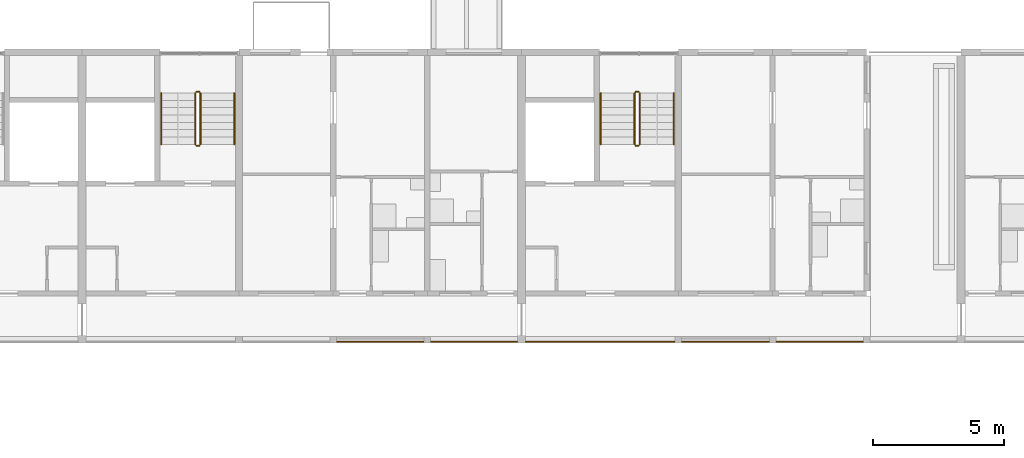
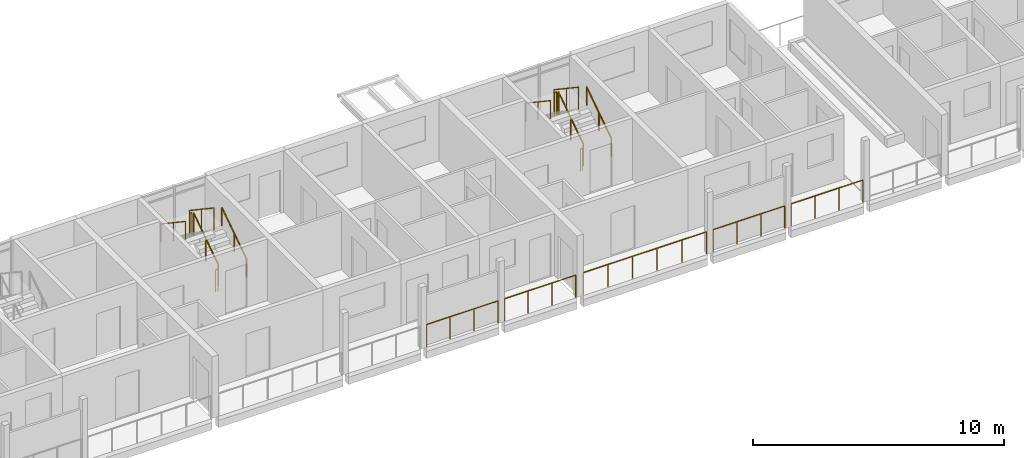
# One storey, part 75 of 93: 17 railings.
"""IFC4 building model written with IfcOpenShell, lengths in metres."""

from ifc_helpers import new_model, si_unit, direction, frame, origin, origin_2d, place, context, subcontext, project, spatial, circle, extrude, material, type_object, element, save


model = new_model("IFC4")

# Units and contexts
model_context = context("Model", 3, precision=1e-05, world=origin(), true_north=direction((0.0, 1.0)))
body_context = subcontext(model_context, "Body", "Model", "MODEL_VIEW")
ifc_project = project(units=[si_unit("LENGTHUNIT", "METRE"), si_unit("AREAUNIT", "SQUARE_METRE"), si_unit("VOLUMEUNIT", "CUBIC_METRE"), si_unit("PLANEANGLEUNIT", "RADIAN"), si_unit("MASSUNIT", "GRAM", prefix="KILO")], contexts=[model_context])

# Site, building, storey
site_placement = place(None, origin())
site = spatial("IfcSite", under=ifc_project, at=site_placement, CompositionType="ELEMENT")
building_placement = place(site_placement, origin())
building = spatial("IfcBuilding", under=site, at=building_placement, Name="Ridgestep Commons", CompositionType="ELEMENT")
storey_placement = place(building_placement, frame((0.0, 0.0, 18.0)))
storey = spatial("IfcBuildingStorey", under=building, at=storey_placement, Name="L06", CompositionType="ELEMENT", Elevation=18.0)

# Railings
ifc_material_1 = material(Name="Structural steel S355JR", Category="steel")
railing_type_1 = type_object("IfcRailingType", Name="Guard 1100", PredefinedType="GUARDRAIL", material=ifc_material_1)
railing_1_placement = place(storey_placement, frame((38.5458984375, 66.050048828125, 0.0)))
element("IfcRailing", 1, at=railing_1_placement, inside=storey, type_object=railing_type_1, Name="Gallery guard B 06.7", PredefinedType="GUARDRAIL", context=body_context, shape_type="SweptSolid", body=[
    extrude(circle(Radius=0.02392578125, at=origin_2d()), frame((0.0, 0.0, 1.076171875), z_axis=(1.0, 0.0, 0.0), x_axis=(0.0, 1.0, 0.0)), (0.0, 0.0, 1.0), 3.30810546875),
    extrude(circle(Radius=0.02099609375, at=origin_2d()), origin(), (0.0, 0.0, 1.0), 1.052001953125),
    extrude(circle(Radius=0.02099609375, at=origin_2d()), frame((1.102783203125, 0.0, 0.0)), (0.0, 0.0, 1.0), 1.052001953125),
    extrude(circle(Radius=0.02099609375, at=origin_2d()), frame((2.205322265625, 0.0, 0.0)), (0.0, 0.0, 1.0), 1.052001953125),
    extrude(circle(Radius=0.02099609375, at=origin_2d()), frame((3.30810546875, 0.0, 0.0)), (0.0, 0.0, 1.0), 1.052001953125),
])
railing_2_placement = place(storey_placement, frame((42.14599609375, 66.050048828125, 0.0)))
element("IfcRailing", 2, at=railing_2_placement, inside=storey, type_object=railing_type_1, Name="Gallery guard B 06.8", PredefinedType="GUARDRAIL", context=body_context, shape_type="SweptSolid", body=[
    extrude(circle(Radius=0.02392578125, at=origin_2d()), frame((0.0, 0.0, 1.076171875), z_axis=(1.0, 0.0, 0.0), x_axis=(0.0, 1.0, 0.0)), (0.0, 0.0, 1.0), 3.282958984375),
    extrude(circle(Radius=0.02099609375, at=origin_2d()), origin(), (0.0, 0.0, 1.0), 1.052001953125),
    extrude(circle(Radius=0.02099609375, at=origin_2d()), frame((1.09423828125, 0.0, 0.0)), (0.0, 0.0, 1.0), 1.052001953125),
    extrude(circle(Radius=0.02099609375, at=origin_2d()), frame((2.188720703125, 0.0, 0.0)), (0.0, 0.0, 1.0), 1.052001953125),
    extrude(circle(Radius=0.02099609375, at=origin_2d()), frame((3.282958984375, 0.0, 0.0)), (0.0, 0.0, 1.0), 1.052001953125),
])
railing_3_placement = place(storey_placement, frame((45.77099609375, 66.050048828125, 0.0)))
element("IfcRailing", 3, at=railing_3_placement, inside=storey, type_object=railing_type_1, Name="Gallery guard B 06.9", PredefinedType="GUARDRAIL", context=body_context, shape_type="SweptSolid", body=[
    extrude(circle(Radius=0.02392578125, at=origin_2d()), frame((0.0, 0.0, 1.076171875), z_axis=(1.0, 0.0, 0.0), x_axis=(0.0, 1.0, 0.0)), (0.0, 0.0, 1.0), 5.68310546875),
    extrude(circle(Radius=0.02099609375, at=origin_2d()), origin(), (0.0, 0.0, 1.0), 1.052001953125),
    extrude(circle(Radius=0.02099609375, at=origin_2d()), frame((1.13671875, 0.0, 0.0)), (0.0, 0.0, 1.0), 1.052001953125),
    extrude(circle(Radius=0.02099609375, at=origin_2d()), frame((2.273193359375, 0.0, 0.0)), (0.0, 0.0, 1.0), 1.052001953125),
    extrude(circle(Radius=0.02099609375, at=origin_2d()), frame((3.409912109375, 0.0, 0.0)), (0.0, 0.0, 1.0), 1.052001953125),
    extrude(circle(Radius=0.02099609375, at=origin_2d()), frame((4.54638671875, 0.0, 0.0)), (0.0, 0.0, 1.0), 1.052001953125),
    extrude(circle(Radius=0.02099609375, at=origin_2d()), frame((5.68310546875, 0.0, 0.0)), (0.0, 0.0, 1.0), 1.052001953125),
])
railing_4_placement = place(storey_placement, frame((51.74609375, 66.050048828125, 0.0)))
element("IfcRailing", 4, at=railing_4_placement, inside=storey, type_object=railing_type_1, Name="Gallery guard B 06.10", PredefinedType="GUARDRAIL", context=body_context, shape_type="SweptSolid", body=[
    extrude(circle(Radius=0.02392578125, at=origin_2d()), frame((0.0, 0.0, 1.076171875), z_axis=(1.0, 0.0, 0.0), x_axis=(0.0, 1.0, 0.0)), (0.0, 0.0, 1.0), 3.307861328125),
    extrude(circle(Radius=0.02099609375, at=origin_2d()), origin(), (0.0, 0.0, 1.0), 1.052001953125),
    extrude(circle(Radius=0.02099609375, at=origin_2d()), frame((1.1025390625, 0.0, 0.0)), (0.0, 0.0, 1.0), 1.052001953125),
    extrude(circle(Radius=0.02099609375, at=origin_2d()), frame((2.205322265625, 0.0, 0.0)), (0.0, 0.0, 1.0), 1.052001953125),
    extrude(circle(Radius=0.02099609375, at=origin_2d()), frame((3.307861328125, 0.0, 0.0)), (0.0, 0.0, 1.0), 1.052001953125),
])
railing_5_placement = place(storey_placement, frame((55.345947265625, 66.050048828125, 0.0)))
element("IfcRailing", 5, at=railing_5_placement, inside=storey, type_object=railing_type_1, Name="Gallery guard B 06.11", PredefinedType="GUARDRAIL", context=body_context, shape_type="SweptSolid", body=[
    extrude(circle(Radius=0.02392578125, at=origin_2d()), frame((0.0, 0.0, 1.076171875), z_axis=(1.0, 0.0, 0.0), x_axis=(0.0, 1.0, 0.0)), (0.0, 0.0, 1.0), 3.30810546875),
    extrude(circle(Radius=0.02099609375, at=origin_2d()), origin(), (0.0, 0.0, 1.0), 1.052001953125),
    extrude(circle(Radius=0.02099609375, at=origin_2d()), frame((1.102783203125, 0.0, 0.0)), (0.0, 0.0, 1.0), 1.052001953125),
    extrude(circle(Radius=0.02099609375, at=origin_2d()), frame((2.205322265625, 0.0, 0.0)), (0.0, 0.0, 1.0), 1.052001953125),
    extrude(circle(Radius=0.02099609375, at=origin_2d()), frame((3.30810546875, 0.0, 0.0)), (0.0, 0.0, 1.0), 1.052001953125),
])
ifc_material_2 = material(Name="Structural steel S355JR", Category="steel")
railing_type_2 = type_object("IfcRailingType", Name="Stair guard 1100", PredefinedType="GUARDRAIL", material=ifc_material_2)
railing_6_placement = place(storey_placement, frame((33.324951171875, 73.60009765625, 0.1875)))
element("IfcRailing", 6, at=railing_6_placement, inside=storey, type_object=railing_type_2, Name="L06 B2C stair guard 1", PredefinedType="GUARDRAIL", context=body_context, shape_type="SweptSolid", body=[
    extrude(circle(Radius=0.02392578125, at=origin_2d()), frame((0.0, 0.0, 1.076171875), z_axis=(0.0, 0.830902050051, 0.556418712142), x_axis=(-1.0, 0.0, 0.0)), (0.0, 0.0, 1.0), 2.35888671875),
    extrude(circle(Radius=0.02099609375, at=origin_2d()), origin(), (0.0, 0.0, 1.0), 1.052001953125),
    extrude(circle(Radius=0.02099609375, at=origin_2d()), frame((0.0, 0.97998046875, 0.65625)), (0.0, 0.0, 1.0), 1.052001953125),
    extrude(circle(Radius=0.02099609375, at=origin_2d()), frame((0.0, 1.9599609375, 1.3125)), (0.0, 0.0, 1.0), 1.052001953125),
])
railing_7_placement = place(storey_placement, frame((33.27490234375, 75.610107421875, 1.5)))
element("IfcRailing", 7, at=railing_7_placement, inside=storey, type_object=railing_type_2, Name="L06 B2C stair guard 2", PredefinedType="GUARDRAIL", context=body_context, shape_type="SweptSolid", body=[
    extrude(circle(Radius=0.02392578125, at=origin_2d()), frame((0.0, 0.0, 1.076171875), z_axis=(-1.0, 0.0, 0.0), x_axis=(0.0, -1.0, 0.0)), (0.0, 0.0, 1.0), 0.099853515625),
    extrude(circle(Radius=0.02099609375, at=origin_2d()), origin(), (0.0, 0.0, 1.0), 1.052001953125),
    extrude(circle(Radius=0.02099609375, at=origin_2d()), frame((-0.099853515625, 0.0, 0.0)), (0.0, 0.0, 1.0), 1.052001953125),
])
railing_8_placement = place(storey_placement, frame((33.125, 75.56005859375, 1.6875)))
element("IfcRailing", 8, at=railing_8_placement, inside=storey, type_object=railing_type_2, Name="L06 B2C stair guard 3", PredefinedType="GUARDRAIL", context=body_context, shape_type="SweptSolid", body=[
    extrude(circle(Radius=0.02392578125, at=origin_2d()), frame((0.0, 0.0, 1.076171875), z_axis=(0.0, -0.830902050051, 0.556418712142), x_axis=(1.0, 0.0, 0.0)), (0.0, 0.0, 1.0), 2.35888671875),
    extrude(circle(Radius=0.02099609375, at=origin_2d()), origin(), (0.0, 0.0, 1.0), 1.052001953125),
    extrude(circle(Radius=0.02099609375, at=origin_2d()), frame((0.0, -0.97998046875, 0.65625)), (0.0, 0.0, 1.0), 1.052001953125),
    extrude(circle(Radius=0.02099609375, at=origin_2d()), frame((0.0, -1.9599609375, 1.3125)), (0.0, 0.0, 1.0), 1.052001953125),
])
railing_9_placement = place(storey_placement, frame((33.27490234375, 73.550048828125, 0.0)))
element("IfcRailing", 9, at=railing_9_placement, inside=storey, type_object=railing_type_2, Name="L06 B2C stair guard 4", PredefinedType="GUARDRAIL", context=body_context, shape_type="SweptSolid", body=[
    extrude(circle(Radius=0.02392578125, at=origin_2d()), frame((0.0, 0.0, 1.076171875), z_axis=(-1.0, 0.0, 0.0), x_axis=(0.0, -1.0, 0.0)), (0.0, 0.0, 1.0), 0.099853515625),
    extrude(circle(Radius=0.02099609375, at=origin_2d()), origin(), (0.0, 0.0, 1.0), 1.052001953125),
    extrude(circle(Radius=0.02099609375, at=origin_2d()), frame((-0.099853515625, 0.0, 0.0)), (0.0, 0.0, 1.0), 1.052001953125),
])
railing_10_placement = place(storey_placement, frame((50.125, 73.60009765625, 0.1875)))
element("IfcRailing", 10, at=railing_10_placement, inside=storey, type_object=railing_type_2, Name="L06 B3C stair guard 1", PredefinedType="GUARDRAIL", context=body_context, shape_type="SweptSolid", body=[
    extrude(circle(Radius=0.02392578125, at=origin_2d()), frame((0.0, 0.0, 1.076171875), z_axis=(0.0, 0.830902050051, 0.556418712142), x_axis=(-1.0, 0.0, 0.0)), (0.0, 0.0, 1.0), 2.35888671875),
    extrude(circle(Radius=0.02099609375, at=origin_2d()), origin(), (0.0, 0.0, 1.0), 1.052001953125),
    extrude(circle(Radius=0.02099609375, at=origin_2d()), frame((0.0, 0.97998046875, 0.65625)), (0.0, 0.0, 1.0), 1.052001953125),
    extrude(circle(Radius=0.02099609375, at=origin_2d()), frame((0.0, 1.9599609375, 1.3125)), (0.0, 0.0, 1.0), 1.052001953125),
])
railing_11_placement = place(storey_placement, frame((50.074951171875, 75.610107421875, 1.5)))
element("IfcRailing", 11, at=railing_11_placement, inside=storey, type_object=railing_type_2, Name="L06 B3C stair guard 2", PredefinedType="GUARDRAIL", context=body_context, shape_type="SweptSolid", body=[
    extrude(circle(Radius=0.02392578125, at=origin_2d()), frame((0.0, 0.0, 1.076171875), z_axis=(-1.0, 0.0, 0.0), x_axis=(0.0, -1.0, 0.0)), (0.0, 0.0, 1.0), 0.099853515625),
    extrude(circle(Radius=0.02099609375, at=origin_2d()), origin(), (0.0, 0.0, 1.0), 1.052001953125),
    extrude(circle(Radius=0.02099609375, at=origin_2d()), frame((-0.099853515625, 0.0, 0.0)), (0.0, 0.0, 1.0), 1.052001953125),
])
railing_12_placement = place(storey_placement, frame((49.925048828125, 75.56005859375, 1.6875)))
element("IfcRailing", 12, at=railing_12_placement, inside=storey, type_object=railing_type_2, Name="L06 B3C stair guard 3", PredefinedType="GUARDRAIL", context=body_context, shape_type="SweptSolid", body=[
    extrude(circle(Radius=0.02392578125, at=origin_2d()), frame((0.0, 0.0, 1.076171875), z_axis=(0.0, -0.830902050051, 0.556418712142), x_axis=(1.0, 0.0, 0.0)), (0.0, 0.0, 1.0), 2.35888671875),
    extrude(circle(Radius=0.02099609375, at=origin_2d()), origin(), (0.0, 0.0, 1.0), 1.052001953125),
    extrude(circle(Radius=0.02099609375, at=origin_2d()), frame((0.0, -0.97998046875, 0.65625)), (0.0, 0.0, 1.0), 1.052001953125),
    extrude(circle(Radius=0.02099609375, at=origin_2d()), frame((0.0, -1.9599609375, 1.3125)), (0.0, 0.0, 1.0), 1.052001953125),
])
railing_13_placement = place(storey_placement, frame((50.074951171875, 73.550048828125, 0.0)))
element("IfcRailing", 13, at=railing_13_placement, inside=storey, type_object=railing_type_2, Name="L06 B3C stair guard 4", PredefinedType="GUARDRAIL", context=body_context, shape_type="SweptSolid", body=[
    extrude(circle(Radius=0.02392578125, at=origin_2d()), frame((0.0, 0.0, 1.076171875), z_axis=(-1.0, 0.0, 0.0), x_axis=(0.0, -1.0, 0.0)), (0.0, 0.0, 1.0), 0.099853515625),
    extrude(circle(Radius=0.02099609375, at=origin_2d()), origin(), (0.0, 0.0, 1.0), 1.052001953125),
    extrude(circle(Radius=0.02099609375, at=origin_2d()), frame((-0.099853515625, 0.0, 0.0)), (0.0, 0.0, 1.0), 1.052001953125),
])
ifc_material_3 = material(Name="Structural steel S355JR", Category="steel")
railing_type_3 = type_object("IfcRailingType", Name="Stair handrail 900", PredefinedType="HANDRAIL", material=ifc_material_3)
railing_14_placement = place(storey_placement, frame((34.625, 73.60009765625, 0.1875)))
element("IfcRailing", 14, at=railing_14_placement, inside=storey, type_object=railing_type_3, Name="L06 B2C stair handrail 1", PredefinedType="HANDRAIL", context=body_context, shape_type="SweptSolid", body=[
    extrude(circle(Radius=0.02392578125, at=origin_2d()), frame((0.0, 0.0, 0.8759765625), z_axis=(0.0, 0.830902050051, 0.556418712142), x_axis=(-1.0, 0.0, 0.0)), (0.0, 0.0, 1.0), 2.35888671875),
    extrude(circle(Radius=0.02099609375, at=origin_2d()), origin(), (0.0, 0.0, 1.0), 0.851806640625),
    extrude(circle(Radius=0.02099609375, at=origin_2d()), frame((0.0, 0.97998046875, 0.65625)), (0.0, 0.0, 1.0), 0.851806640625),
    extrude(circle(Radius=0.02099609375, at=origin_2d()), frame((0.0, 1.9599609375, 1.3125)), (0.0, 0.0, 1.0), 0.851806640625),
])
railing_15_placement = place(storey_placement, frame((31.824951171875, 75.56005859375, 1.6875)))
element("IfcRailing", 15, at=railing_15_placement, inside=storey, type_object=railing_type_3, Name="L06 B2C stair handrail 2", PredefinedType="HANDRAIL", context=body_context, shape_type="SweptSolid", body=[
    extrude(circle(Radius=0.02392578125, at=origin_2d()), frame((0.0, 0.0, 0.8759765625), z_axis=(0.0, -0.830902050051, 0.556418712142), x_axis=(1.0, 0.0, 0.0)), (0.0, 0.0, 1.0), 2.35888671875),
    extrude(circle(Radius=0.02099609375, at=origin_2d()), origin(), (0.0, 0.0, 1.0), 0.851806640625),
    extrude(circle(Radius=0.02099609375, at=origin_2d()), frame((0.0, -0.97998046875, 0.65625)), (0.0, 0.0, 1.0), 0.851806640625),
    extrude(circle(Radius=0.02099609375, at=origin_2d()), frame((0.0, -1.9599609375, 1.3125)), (0.0, 0.0, 1.0), 0.851806640625),
])
railing_16_placement = place(storey_placement, frame((51.425048828125, 73.60009765625, 0.1875)))
element("IfcRailing", 16, at=railing_16_placement, inside=storey, type_object=railing_type_3, Name="L06 B3C stair handrail 1", PredefinedType="HANDRAIL", context=body_context, shape_type="SweptSolid", body=[
    extrude(circle(Radius=0.02392578125, at=origin_2d()), frame((0.0, 0.0, 0.8759765625), z_axis=(0.0, 0.830902050051, 0.556418712142), x_axis=(-1.0, 0.0, 0.0)), (0.0, 0.0, 1.0), 2.35888671875),
    extrude(circle(Radius=0.02099609375, at=origin_2d()), origin(), (0.0, 0.0, 1.0), 0.851806640625),
    extrude(circle(Radius=0.02099609375, at=origin_2d()), frame((0.0, 0.97998046875, 0.65625)), (0.0, 0.0, 1.0), 0.851806640625),
    extrude(circle(Radius=0.02099609375, at=origin_2d()), frame((0.0, 1.9599609375, 1.3125)), (0.0, 0.0, 1.0), 0.851806640625),
])
railing_17_placement = place(storey_placement, frame((48.625, 75.56005859375, 1.6875)))
element("IfcRailing", 17, at=railing_17_placement, inside=storey, type_object=railing_type_3, Name="L06 B3C stair handrail 2", PredefinedType="HANDRAIL", context=body_context, shape_type="SweptSolid", body=[
    extrude(circle(Radius=0.02392578125, at=origin_2d()), frame((0.0, 0.0, 0.8759765625), z_axis=(0.0, -0.830902050051, 0.556418712142), x_axis=(1.0, 0.0, 0.0)), (0.0, 0.0, 1.0), 2.35888671875),
    extrude(circle(Radius=0.02099609375, at=origin_2d()), origin(), (0.0, 0.0, 1.0), 0.851806640625),
    extrude(circle(Radius=0.02099609375, at=origin_2d()), frame((0.0, -0.97998046875, 0.65625)), (0.0, 0.0, 1.0), 0.851806640625),
    extrude(circle(Radius=0.02099609375, at=origin_2d()), frame((0.0, -1.9599609375, 1.3125)), (0.0, 0.0, 1.0), 0.851806640625),
])

save(model, "model.ifc")
